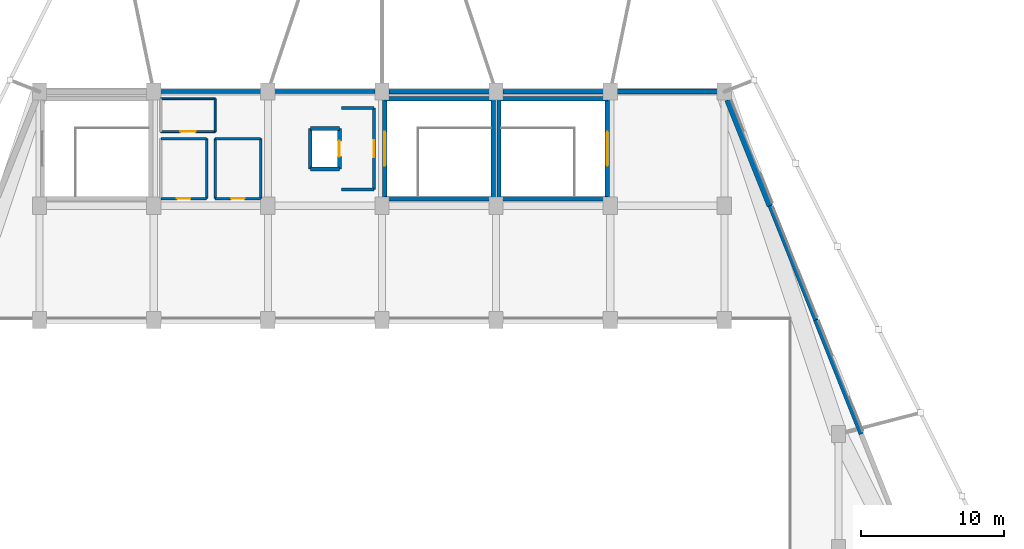
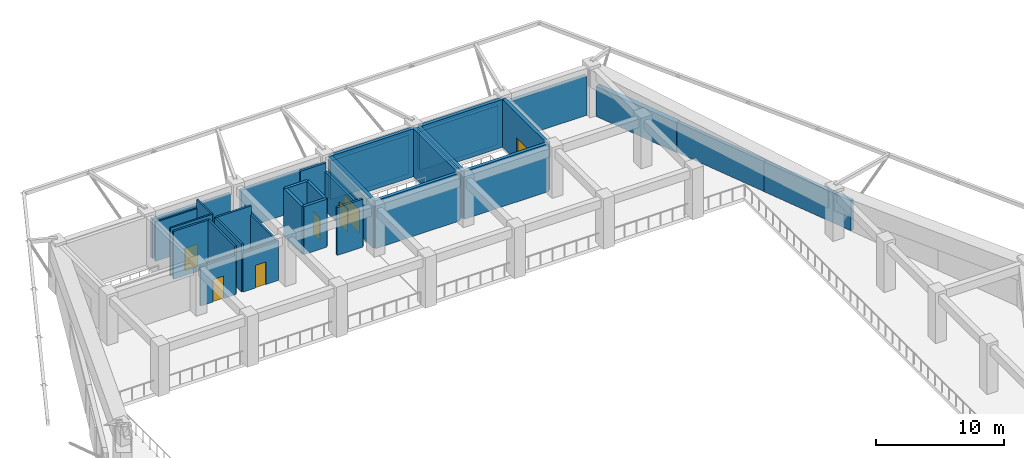
# One storey, part 7 of 9: 33 walls, 7 doors, 7 openings.
"""IFC4 building model written with IfcOpenShell, lengths in metres."""

from ifc_helpers import new_model, si_unit, direction, frame, frame_2d, origin, place, context, subcontext, project, spatial, rectangle, extrude, material, layer, layer_set, type_object, element, fill, save


model = new_model("IFC4")

# Units and contexts
model_context = context("Model", 3, precision=1e-05, world=origin(), true_north=direction((0.0, 1.0)))
body_context = subcontext(model_context, "Body", "Model", "MODEL_VIEW")
ifc_project = project(units=[si_unit("LENGTHUNIT", "METRE"), si_unit("AREAUNIT", "SQUARE_METRE"), si_unit("VOLUMEUNIT", "CUBIC_METRE"), si_unit("PLANEANGLEUNIT", "RADIAN"), si_unit("MASSUNIT", "GRAM", prefix="KILO")], contexts=[model_context])

# Site, building, storey
site_placement = place(None, origin())
site = spatial("IfcSite", under=ifc_project, at=site_placement, CompositionType="ELEMENT")
building_placement = place(site_placement, origin())
building = spatial("IfcBuilding", under=site, at=building_placement, Name="Tazarka Park Arena", CompositionType="ELEMENT")
storey_placement = place(building_placement, frame((0.0, 0.0, 24.60009765625)))
storey = spatial("IfcBuildingStorey", under=building, at=storey_placement, Name="L05", CompositionType="ELEMENT", Elevation=24.60009765625)

# Walls
ifc_material_1 = material(Name="Concrete C40/50", Category="concrete")
ifc_layer_1 = layer(ifc_material_1, 0.300048828125, Name="Concrete C40/50")
ifc_layer_set_1 = layer_set([ifc_layer_1], Name="Concrete C40/50")
wall_type_1 = type_object("IfcWallType", Name="IWAL-CW-S1", PredefinedType="SHEAR", material=ifc_layer_set_1)
wall_1_placement = place(storey_placement, frame((103.800048828125, 96.5, 0.0), z_axis=(0.0, 0.0, 1.0), x_axis=(-1.0, 0.0, 0.0)))
element("IfcWall", 1, at=wall_1_placement, inside=storey, type_object=wall_type_1, Name="SCW-L05-ST10-S", PredefinedType="SHEAR", context=body_context, shape_type="SweptSolid", body=[
    extrude(rectangle(XDim=7.60009765625, YDim=0.300048828125, at=frame_2d((3.800048828125, 0.0))), origin(), (0.0, 0.0, 1.0), 4.5498046875),
])
wall_2_placement = place(storey_placement, frame((96.199951171875, 96.5, 0.0), z_axis=(0.0, 0.0, 1.0), x_axis=(0.0, 1.0, 0.0)))
element("IfcWall", 2, at=wall_2_placement, inside=storey, type_object=wall_type_1, Name="SCW-L05-ST10-W", PredefinedType="SHEAR", context=body_context, shape_type="SweptSolid", body=[
    extrude(rectangle(XDim=7.0, YDim=0.300048828125, at=frame_2d((3.5, 0.0))), origin(), (0.0, 0.0, 1.0), 4.5498046875),
])
wall_3_placement = place(storey_placement, frame((96.199951171875, 103.5, 0.0), z_axis=(0.0, 0.0, 1.0), x_axis=(1.0, 0.0, 0.0)))
element("IfcWall", 3, at=wall_3_placement, inside=storey, type_object=wall_type_1, Name="SCW-L05-ST10-N", PredefinedType="SHEAR", context=body_context, shape_type="SweptSolid", body=[
    extrude(rectangle(XDim=7.60009765625, YDim=0.300048828125, at=frame_2d((3.800048828125, 0.0))), origin(), (0.0, 0.0, 1.0), 4.5498046875),
])

# Wall, opening, door
wall_4_placement = place(storey_placement, frame((103.800048828125, 103.5, 0.0), z_axis=(0.0, 0.0, 1.0), x_axis=(0.0, -1.0, 0.0)))
wall_4 = element("IfcWall", 4, at=wall_4_placement, inside=storey, type_object=wall_type_1, Name="SCW-L05-ST10-E", PredefinedType="SHEAR", context=body_context, shape_type="SweptSolid", body=[
    extrude(rectangle(XDim=7.0, YDim=0.300048828125, at=frame_2d((3.5, 0.0))), origin(), (0.0, 0.0, 1.0), 4.5498046875),
])
opening_1_placement = place(wall_4_placement, frame((2.300048828125, 0.0, 0.0)))
opening_1 = element("IfcOpeningElement", 5, at=opening_1_placement, cuts=wall_4, Name="Opening ID-05", PredefinedType="OPENING", context=body_context, shape_type="SweptSolid", body=[
    extrude(rectangle(XDim=2.39990234375, YDim=2.199951171875, at=frame_2d((1.199951171875, 1.10009765625))), frame((0.0, 0.16015625, 0.0), z_axis=(0.0, -1.0, 0.0), x_axis=(1.0, 0.0, 0.0)), (0.0, 0.0, 1.0), 0.320068359375),
])
ifc_material_2 = material(Name="Fire-rated powder-coated steel and acoustic timber", Category="steel")
door_type_1 = type_object("IfcDoorType", Name="IDR-ID-05", OperationType="NOTDEFINED", PredefinedType="DOOR", material=ifc_material_2)
door_1_placement = place(opening_1_placement, frame((2.39990234375, 0.0, 0.0), z_axis=(0.0, 0.0, 1.0), x_axis=(-1.0, 0.0, 0.0)))
door_1 = element("IfcDoor", 6, at=door_1_placement, inside=storey, type_object=door_type_1, Name="Exit Stair Door ST10-L05", OperationType="DOUBLE_DOOR_SINGLE_SWING", OverallHeight=2.199951171875, OverallWidth=2.39990234375, PredefinedType="DOOR", context=body_context, shape_type="SweptSolid", body=[
    extrude(rectangle(XDim=2.39990234375, YDim=2.199951171875, at=frame_2d((1.199951171875, 1.10009765625))), frame((0.0, 0.02490234375, 0.0), z_axis=(0.0, -1.0, 0.0), x_axis=(1.0, 0.0, 0.0)), (0.0, 0.0, 1.0), 0.050048828125),
])
fill(opening_1, door_1)

# Wall
wall_5_placement = place(storey_placement, frame((95.800048828125, 96.5, 0.0), z_axis=(0.0, 0.0, 1.0), x_axis=(-1.0, 0.0, 0.0)))
element("IfcWall", 7, at=wall_5_placement, inside=storey, type_object=wall_type_1, Name="SCW-L05-ST15-S", PredefinedType="SHEAR", context=body_context, shape_type="SweptSolid", body=[
    extrude(rectangle(XDim=7.60009765625, YDim=0.300048828125, at=frame_2d((3.800048828125, 0.0))), origin(), (0.0, 0.0, 1.0), 4.5498046875),
])

# Wall, opening, door
wall_6_placement = place(storey_placement, frame((88.199951171875, 96.5, 0.0), z_axis=(0.0, 0.0, 1.0), x_axis=(0.0, 1.0, 0.0)))
wall_6 = element("IfcWall", 8, at=wall_6_placement, inside=storey, type_object=wall_type_1, Name="SCW-L05-ST15-W", PredefinedType="SHEAR", context=body_context, shape_type="SweptSolid", body=[
    extrude(rectangle(XDim=7.0, YDim=0.300048828125, at=frame_2d((3.5, 0.0))), origin(), (0.0, 0.0, 1.0), 4.5498046875),
])
opening_2_placement = place(wall_6_placement, frame((2.300048828125, 0.0, 0.0)))
opening_2 = element("IfcOpeningElement", 9, at=opening_2_placement, cuts=wall_6, Name="Opening ID-05", PredefinedType="OPENING", context=body_context, shape_type="SweptSolid", body=[
    extrude(rectangle(XDim=2.39990234375, YDim=2.199951171875, at=frame_2d((1.199951171875, 1.10009765625))), frame((0.0, 0.16015625, 0.0), z_axis=(0.0, -1.0, 0.0), x_axis=(1.0, 0.0, 0.0)), (0.0, 0.0, 1.0), 0.320068359375),
])
door_2_placement = place(opening_2_placement, frame((2.39990234375, 0.0, 0.0), z_axis=(0.0, 0.0, 1.0), x_axis=(-1.0, 0.0, 0.0)))
door_2 = element("IfcDoor", 10, at=door_2_placement, inside=storey, type_object=door_type_1, Name="Exit Stair Door ST15-L05", OperationType="DOUBLE_DOOR_SINGLE_SWING", OverallHeight=2.199951171875, OverallWidth=2.39990234375, PredefinedType="DOOR", context=body_context, shape_type="SweptSolid", body=[
    extrude(rectangle(XDim=2.39990234375, YDim=2.199951171875, at=frame_2d((1.199951171875, 1.10009765625))), frame((0.0, 0.02490234375, 0.0), z_axis=(0.0, -1.0, 0.0), x_axis=(1.0, 0.0, 0.0)), (0.0, 0.0, 1.0), 0.050048828125),
])
fill(opening_2, door_2)

# Walls
wall_7_placement = place(storey_placement, frame((88.199951171875, 103.5, 0.0), z_axis=(0.0, 0.0, 1.0), x_axis=(1.0, 0.0, 0.0)))
element("IfcWall", 11, at=wall_7_placement, inside=storey, type_object=wall_type_1, Name="SCW-L05-ST15-N", PredefinedType="SHEAR", context=body_context, shape_type="SweptSolid", body=[
    extrude(rectangle(XDim=7.60009765625, YDim=0.300048828125, at=frame_2d((3.800048828125, 0.0))), origin(), (0.0, 0.0, 1.0), 4.5498046875),
])
wall_8_placement = place(storey_placement, frame((95.800048828125, 103.5, 0.0), z_axis=(0.0, 0.0, 1.0), x_axis=(0.0, -1.0, 0.0)))
element("IfcWall", 12, at=wall_8_placement, inside=storey, type_object=wall_type_1, Name="SCW-L05-ST15-E", PredefinedType="SHEAR", context=body_context, shape_type="SweptSolid", body=[
    extrude(rectangle(XDim=7.0, YDim=0.300048828125, at=frame_2d((3.5, 0.0))), origin(), (0.0, 0.0, 1.0), 4.5498046875),
])
ifc_material_3 = material(Name="Concrete C40/50", Category="concrete")
ifc_layer_2 = layer(ifc_material_3, 0.260009765625, Name="Concrete C40/50")
ifc_layer_set_2 = layer_set([ifc_layer_2], Name="Concrete C40/50")
wall_type_2 = type_object("IfcWallType", Name="IWAL-CW-S3", PredefinedType="SHEAR", material=ifc_layer_set_2)
wall_9_placement = place(storey_placement, frame((82.97998046875, 98.580078125, 0.0), z_axis=(0.0, 0.0, 1.0), x_axis=(0.0, 1.0, 0.0)))
element("IfcWall", 13, at=wall_9_placement, inside=storey, type_object=wall_type_2, Name="LSW-L05-LF-03-W", PredefinedType="SHEAR", context=body_context, shape_type="SweptSolid", body=[
    extrude(rectangle(XDim=2.83984375, YDim=0.260009765625, at=frame_2d((1.419921875, 0.0))), origin(), (0.0, 0.0, 1.0), 4.5498046875),
])
for number, where, z_axis, x_axis, name in (
    (14, (82.97998046875, 101.419921875, 0.0), (0.0, 0.0, 1.0), (1.0, 0.0, 0.0), "LSW-L05-LF-03-N"),
    (15, (85.02001953125, 98.580078125, 0.0), (0.0, 0.0, 1.0), (-1.0, 0.0, 0.0), "LSW-L05-LF-03-S"),
):
    element("IfcWall", number, at=place(storey_placement, frame(where, z_axis=z_axis, x_axis=x_axis)), inside=storey, type_object=wall_type_2, Name=name, PredefinedType="SHEAR", context=body_context, shape_type="SweptSolid", body=[
        extrude(rectangle(XDim=2.0400390625, YDim=0.260009765625, at=frame_2d((1.02001953125, 0.0))), origin(), (0.0, 0.0, 1.0), 4.5498046875),
    ])

# Wall, opening, door
wall_10_placement = place(storey_placement, frame((85.02001953125, 101.419921875, 0.0), z_axis=(0.0, 0.0, 1.0), x_axis=(0.0, -1.0, 0.0)))
wall_10 = element("IfcWall", 16, at=wall_10_placement, inside=storey, type_object=wall_type_2, Name="LSW-L05-LF-03-E", PredefinedType="SHEAR", context=body_context, shape_type="SweptSolid", body=[
    extrude(rectangle(XDim=2.83984375, YDim=0.260009765625, at=frame_2d((1.419921875, 0.0))), origin(), (0.0, 0.0, 1.0), 4.5498046875),
])
opening_3_placement = place(wall_10_placement, frame((0.8701171875, 0.0, 0.0)))
opening_3 = element("IfcOpeningElement", 17, at=opening_3_placement, cuts=wall_10, Name="Opening LD-01", PredefinedType="OPENING", context=body_context, shape_type="SweptSolid", body=[
    extrude(rectangle(XDim=1.10009765625, YDim=2.14990234375, at=frame_2d((0.550048828125, 1.074951171875))), frame((0.0, 0.14013671875, 0.0), z_axis=(0.0, -1.0, 0.0), x_axis=(1.0, 0.0, 0.0)), (0.0, 0.0, 1.0), 0.280029296875),
])
ifc_material_4 = material(Name="Fire-rated powder-coated steel and acoustic timber", Category="steel")
door_type_2 = type_object("IfcDoorType", Name="IDR-LD-01", OperationType="NOTDEFINED", PredefinedType="DOOR", material=ifc_material_4)
door_3_placement = place(opening_3_placement, origin())
door_3 = element("IfcDoor", 18, at=door_3_placement, inside=storey, type_object=door_type_2, Name="Lift Landing Door LF-03-L05", OperationType="SLIDING_TO_LEFT", OverallHeight=2.14990234375, OverallWidth=1.10009765625, PredefinedType="DOOR", context=body_context, shape_type="SweptSolid", body=[
    extrude(rectangle(XDim=1.10009765625, YDim=2.14990234375, at=frame_2d((0.550048828125, 1.074951171875))), frame((0.0, 0.02490234375, 0.0), z_axis=(0.0, -1.0, 0.0), x_axis=(1.0, 0.0, 0.0)), (0.0, 0.0, 1.0), 0.050048828125),
])
fill(opening_3, door_3)

# Walls
ifc_material_5 = material(Name="Reinforced masonry compartment wall", Category="masonry")
ifc_layer_3 = layer(ifc_material_5, 0.199951171875, Name="Reinforced masonry compartment wall")
ifc_layer_set_3 = layer_set([ifc_layer_3], Name="Reinforced masonry compartment wall")
wall_type_3 = type_object("IfcWallType", Name="IWAL-PT-04", PredefinedType="PARTITIONING", material=ifc_layer_set_3)
for number, where, z_axis, x_axis, name in (
    (19, (85.14990234375, 102.85009765625, 0.0), (0.0, 0.0, 1.0), (1.0, 0.0, 0.0), "FFW-L05-LF-03-N"),
    (20, (87.449951171875, 97.14990234375, 0.0), (0.0, 0.0, 1.0), (-1.0, 0.0, 0.0), "FFW-L05-LF-03-S"),
):
    element("IfcWall", number, at=place(storey_placement, frame(where, z_axis=z_axis, x_axis=x_axis)), inside=storey, type_object=wall_type_3, Name=name, PredefinedType="PARTITIONING", context=body_context, shape_type="SweptSolid", body=[
        extrude(rectangle(XDim=2.300048828125, YDim=0.199951171875, at=frame_2d((1.14990234375, 0.0))), origin(), (0.0, 0.0, 1.0), 4.5498046875),
    ])

# Wall, opening, door
wall_11_placement = place(storey_placement, frame((87.449951171875, 102.85009765625, 0.0), z_axis=(0.0, 0.0, 1.0), x_axis=(0.0, -1.0, 0.0)))
wall_11 = element("IfcWall", 21, at=wall_11_placement, inside=storey, type_object=wall_type_3, Name="FFW-L05-LF-03-E", PredefinedType="PARTITIONING", context=body_context, shape_type="SweptSolid", body=[
    extrude(rectangle(XDim=5.7001953125, YDim=0.199951171875, at=frame_2d((2.85009765625, 0.0))), origin(), (0.0, 0.0, 1.0), 3.7099609375),
])
opening_4_placement = place(wall_11_placement, frame((2.25, 0.0, 0.0)))
opening_4 = element("IfcOpeningElement", 22, at=opening_4_placement, cuts=wall_11, Name="Opening ID-03", PredefinedType="OPENING", context=body_context, shape_type="SweptSolid", body=[
    extrude(rectangle(XDim=1.199951171875, YDim=2.199951171875, at=frame_2d((0.60009765625, 1.10009765625))), frame((0.0, 0.10986328125, 0.0), z_axis=(0.0, -1.0, 0.0), x_axis=(1.0, 0.0, 0.0)), (0.0, 0.0, 1.0), 0.219970703125),
])
ifc_material_6 = material(Name="Fire-rated powder-coated steel and acoustic timber", Category="steel")
door_type_3 = type_object("IfcDoorType", Name="IDR-ID-03", OperationType="NOTDEFINED", PredefinedType="DOOR", material=ifc_material_6)
door_4_placement = place(opening_4_placement, origin())
door_4 = element("IfcDoor", 23, at=door_4_placement, inside=storey, type_object=door_type_3, Name="Firefighting Lobby Door LF-03-L05", OperationType="SINGLE_SWING_LEFT", OverallHeight=2.199951171875, OverallWidth=1.199951171875, PredefinedType="DOOR", context=body_context, shape_type="SweptSolid", body=[
    extrude(rectangle(XDim=1.199951171875, YDim=2.199951171875, at=frame_2d((0.60009765625, 1.10009765625))), frame((0.0, 0.02490234375, 0.0), z_axis=(0.0, -1.0, 0.0), x_axis=(1.0, 0.0, 0.0)), (0.0, 0.0, 1.0), 0.050048828125),
])
fill(opening_4, door_4)

ifc_material_7 = material(Name="Acoustic gypsum stud partition")
ifc_layer_4 = layer(ifc_material_7, 0.135009765625, Name="Acoustic gypsum stud partition")
ifc_layer_set_4 = layer_set([ifc_layer_4], Name="Acoustic gypsum stud partition")
wall_type_4 = type_object("IfcWallType", Name="IWAL-PT-10", PredefinedType="PARTITIONING", material=ifc_layer_set_4)
wall_12_placement = place(storey_placement, frame((72.5, 101.199951171875, 0.0), z_axis=(0.0, 0.0, 1.0), x_axis=(1.0, 0.0, 0.0)))
wall_12 = element("IfcWall", 24, at=wall_12_placement, inside=storey, type_object=wall_type_4, Name="WCE-L05-143", PredefinedType="PARTITIONING", context=body_context, shape_type="SweptSolid", body=[
    extrude(rectangle(XDim=3.800048828125, YDim=0.135009765625, at=frame_2d((1.89990234375, 0.0))), origin(), (0.0, 0.0, 1.0), 4.5498046875),
])
opening_5_placement = place(wall_12_placement, frame((1.35009765625, 0.0, 0.0)))
opening_5 = element("IfcOpeningElement", 25, at=opening_5_placement, cuts=wall_12, Name="Opening ID-02", PredefinedType="OPENING", context=body_context, shape_type="SweptSolid", body=[
    extrude(rectangle(XDim=1.10009765625, YDim=2.14990234375, at=frame_2d((0.550048828125, 1.074951171875))), frame((0.0, 0.07763671875, 0.0), z_axis=(0.0, -1.0, 0.0), x_axis=(1.0, 0.0, 0.0)), (0.0, 0.0, 1.0), 0.155029296875),
])
ifc_material_8 = material(Name="Fire-rated powder-coated steel and acoustic timber", Category="steel")
door_type_4 = type_object("IfcDoorType", Name="IDR-ID-02", OperationType="NOTDEFINED", PredefinedType="DOOR", material=ifc_material_8)
door_5_placement = place(opening_5_placement, origin())
door_5 = element("IfcDoor", 26, at=door_5_placement, inside=storey, type_object=door_type_4, Name="Room Door Accessible WC North 1", OperationType="SINGLE_SWING_LEFT", OverallHeight=2.14990234375, OverallWidth=1.10009765625, PredefinedType="DOOR", context=body_context, shape_type="SweptSolid", body=[
    extrude(rectangle(XDim=1.10009765625, YDim=2.14990234375, at=frame_2d((0.550048828125, 1.074951171875))), frame((0.0, 0.02490234375, 0.0), z_axis=(0.0, -1.0, 0.0), x_axis=(1.0, 0.0, 0.0)), (0.0, 0.0, 1.0), 0.050048828125),
])
fill(opening_5, door_5)

# Walls
wall_13_placement = place(storey_placement, frame((76.300048828125, 101.199951171875, 0.0), z_axis=(0.0, 0.0, 1.0), x_axis=(0.0, 1.0, 0.0)))
element("IfcWall", 27, at=wall_13_placement, inside=storey, type_object=wall_type_4, Name="WCE-L05-144", PredefinedType="PARTITIONING", context=body_context, shape_type="SweptSolid", body=[
    extrude(rectangle(XDim=2.300048828125, YDim=0.135009765625, at=frame_2d((1.14990234375, 0.0))), origin(), (0.0, 0.0, 1.0), 4.5498046875),
])
wall_14_placement = place(storey_placement, frame((76.300048828125, 103.5, 0.0), z_axis=(0.0, 0.0, 1.0), x_axis=(-1.0, 0.0, 0.0)))
element("IfcWall", 28, at=wall_14_placement, inside=storey, type_object=wall_type_4, Name="WCE-L05-145", PredefinedType="PARTITIONING", context=body_context, shape_type="SweptSolid", body=[
    extrude(rectangle(XDim=3.800048828125, YDim=0.135009765625, at=frame_2d((1.89990234375, 0.0))), origin(), (0.0, 0.0, 1.0), 3.7099609375),
])

# Wall, opening, door
ifc_material_9 = material(Name="Wet-zone tiled blockwork wall", Category="masonry")
ifc_layer_5 = layer(ifc_material_9, 0.175048828125, Name="Wet-zone tiled blockwork wall")
ifc_layer_set_5 = layer_set([ifc_layer_5], Name="Wet-zone tiled blockwork wall")
wall_type_5 = type_object("IfcWallType", Name="IWAL-PT-18", PredefinedType="PARTITIONING", material=ifc_layer_set_5)
wall_15_placement = place(storey_placement, frame((72.5, 96.5, 0.0), z_axis=(0.0, 0.0, 1.0), x_axis=(1.0, 0.0, 0.0)))
wall_15 = element("IfcWall", 29, at=wall_15_placement, inside=storey, type_object=wall_type_5, Name="WCE-L05-135", PredefinedType="PARTITIONING", context=body_context, shape_type="SweptSolid", body=[
    extrude(rectangle(XDim=3.199951171875, YDim=0.175048828125, at=frame_2d((1.60009765625, 0.0))), origin(), (0.0, 0.0, 1.0), 3.7099609375),
])
opening_6_placement = place(wall_15_placement, frame((1.125, 0.0, 0.0)))
opening_6 = element("IfcOpeningElement", 30, at=opening_6_placement, cuts=wall_15, Name="Opening ID-09", PredefinedType="OPENING", context=body_context, shape_type="SweptSolid", body=[
    extrude(rectangle(XDim=0.949951171875, YDim=2.14990234375, at=frame_2d((0.47509765625, 1.074951171875))), frame((0.0, 0.09765625, 0.0), z_axis=(0.0, -1.0, 0.0), x_axis=(1.0, 0.0, 0.0)), (0.0, 0.0, 1.0), 0.195068359375),
])
ifc_material_10 = material(Name="Fire-rated powder-coated steel and acoustic timber", Category="steel")
door_type_5 = type_object("IfcDoorType", Name="IDR-ID-09", OperationType="NOTDEFINED", PredefinedType="DOOR", material=ifc_material_10)
door_6_placement = place(opening_6_placement, origin())
door_6 = element("IfcDoor", 31, at=door_6_placement, inside=storey, type_object=door_type_5, Name="Room Door Public Male WC North 1", OperationType="SINGLE_SWING_LEFT", OverallHeight=2.14990234375, OverallWidth=0.949951171875, PredefinedType="DOOR", context=body_context, shape_type="SweptSolid", body=[
    extrude(rectangle(XDim=0.949951171875, YDim=2.14990234375, at=frame_2d((0.47509765625, 1.074951171875))), frame((0.0, 0.02490234375, 0.0), z_axis=(0.0, -1.0, 0.0), x_axis=(1.0, 0.0, 0.0)), (0.0, 0.0, 1.0), 0.050048828125),
])
fill(opening_6, door_6)

# Walls
wall_16_placement = place(storey_placement, frame((75.699951171875, 96.5, 0.0), z_axis=(0.0, 0.0, 1.0), x_axis=(0.0, 1.0, 0.0)))
element("IfcWall", 32, at=wall_16_placement, inside=storey, type_object=wall_type_5, Name="WCE-L05-136", PredefinedType="PARTITIONING", context=body_context, shape_type="SweptSolid", body=[
    extrude(rectangle(XDim=4.199951171875, YDim=0.175048828125, at=frame_2d((2.10009765625, 0.0))), origin(), (0.0, 0.0, 1.0), 4.5498046875),
])
wall_17_placement = place(storey_placement, frame((75.699951171875, 100.699951171875, 0.0), z_axis=(0.0, 0.0, 1.0), x_axis=(-1.0, 0.0, 0.0)))
element("IfcWall", 33, at=wall_17_placement, inside=storey, type_object=wall_type_5, Name="WCE-L05-137", PredefinedType="PARTITIONING", context=body_context, shape_type="SweptSolid", body=[
    extrude(rectangle(XDim=3.199951171875, YDim=0.175048828125, at=frame_2d((1.60009765625, 0.0))), origin(), (0.0, 0.0, 1.0), 4.5498046875),
])

# Wall, opening, door
wall_18_placement = place(storey_placement, frame((76.300048828125, 96.5, 0.0), z_axis=(0.0, 0.0, 1.0), x_axis=(1.0, 0.0, 0.0)))
wall_18 = element("IfcWall", 34, at=wall_18_placement, inside=storey, type_object=wall_type_5, Name="WCE-L05-139", PredefinedType="PARTITIONING", context=body_context, shape_type="SweptSolid", body=[
    extrude(rectangle(XDim=3.199951171875, YDim=0.175048828125, at=frame_2d((1.60009765625, 0.0))), origin(), (0.0, 0.0, 1.0), 3.7099609375),
])
opening_7_placement = place(wall_18_placement, frame((1.125, 0.0, 0.0)))
opening_7 = element("IfcOpeningElement", 35, at=opening_7_placement, cuts=wall_18, Name="Opening ID-09", PredefinedType="OPENING", context=body_context, shape_type="SweptSolid", body=[
    extrude(rectangle(XDim=0.949951171875, YDim=2.14990234375, at=frame_2d((0.47509765625, 1.074951171875))), frame((0.0, 0.09765625, 0.0), z_axis=(0.0, -1.0, 0.0), x_axis=(1.0, 0.0, 0.0)), (0.0, 0.0, 1.0), 0.195068359375),
])
door_7_placement = place(opening_7_placement, origin())
door_7 = element("IfcDoor", 36, at=door_7_placement, inside=storey, type_object=door_type_5, Name="Room Door Public Female WC North 1", OperationType="SINGLE_SWING_RIGHT", OverallHeight=2.14990234375, OverallWidth=0.949951171875, PredefinedType="DOOR", context=body_context, shape_type="SweptSolid", body=[
    extrude(rectangle(XDim=0.949951171875, YDim=2.14990234375, at=frame_2d((0.47509765625, 1.074951171875))), frame((0.0, 0.02490234375, 0.0), z_axis=(0.0, -1.0, 0.0), x_axis=(1.0, 0.0, 0.0)), (0.0, 0.0, 1.0), 0.050048828125),
])
fill(opening_7, door_7)

# Walls
wall_19_placement = place(storey_placement, frame((79.5, 96.5, 0.0), z_axis=(0.0, 0.0, 1.0), x_axis=(0.0, 1.0, 0.0)))
element("IfcWall", 37, at=wall_19_placement, inside=storey, type_object=wall_type_5, Name="WCE-L05-140", PredefinedType="PARTITIONING", context=body_context, shape_type="SweptSolid", body=[
    extrude(rectangle(XDim=4.199951171875, YDim=0.175048828125, at=frame_2d((2.10009765625, 0.0))), origin(), (0.0, 0.0, 1.0), 3.7099609375),
])
wall_20_placement = place(storey_placement, frame((79.5, 100.699951171875, 0.0), z_axis=(0.0, 0.0, 1.0), x_axis=(-1.0, 0.0, 0.0)))
element("IfcWall", 38, at=wall_20_placement, inside=storey, type_object=wall_type_5, Name="WCE-L05-141", PredefinedType="PARTITIONING", context=body_context, shape_type="SweptSolid", body=[
    extrude(rectangle(XDim=3.199951171875, YDim=0.175048828125, at=frame_2d((1.60009765625, 0.0))), origin(), (0.0, 0.0, 1.0), 4.5498046875),
])
wall_21_placement = place(storey_placement, frame((76.300048828125, 100.699951171875, 0.0), z_axis=(0.0, 0.0, 1.0), x_axis=(0.0, -1.0, 0.0)))
element("IfcWall", 39, at=wall_21_placement, inside=storey, type_object=wall_type_5, Name="WCE-L05-142", PredefinedType="PARTITIONING", context=body_context, shape_type="SweptSolid", body=[
    extrude(rectangle(XDim=4.199951171875, YDim=0.175048828125, at=frame_2d((2.10009765625, 0.0))), origin(), (0.0, 0.0, 1.0), 4.5498046875),
])
ifc_material_11 = material(Name="Precast concrete C40/50", Category="concrete")
ifc_layer_6 = layer(ifc_material_11, 0.300048828125, Name="Precast concrete C40/50")
ifc_layer_set_6 = layer_set([ifc_layer_6], Name="Precast concrete C40/50")
wall_type_6 = type_object("IfcWallType", Name="WAL-EW-01", PredefinedType="SOLIDWALL", material=ifc_layer_set_6)
wall_22_placement = place(storey_placement, frame((115.199951171875, 96.0, 0.0), z_axis=(0.0, 0.0, 1.0), x_axis=(0.371385791018, -0.928478645005, 0.0)))
element("IfcWall", 40, at=wall_22_placement, inside=storey, type_object=wall_type_6, Name="EW-L05-0368", PredefinedType="SOLIDWALL", context=body_context, shape_type="SweptSolid", body=[
    extrude(rectangle(XDim=8.6162109375, YDim=0.300048828125, at=frame_2d((4.30810546875, 0.0))), origin(), (0.0, 0.0, 1.0), 2.85986328125),
])
ifc_material_12 = material(Name="Precast concrete C40/50", Category="concrete")
ifc_layer_7 = layer(ifc_material_12, 0.320068359375, Name="Precast concrete C40/50")
ifc_layer_set_7 = layer_set([ifc_layer_7], Name="Precast concrete C40/50")
wall_type_7 = type_object("IfcWallType", Name="WAL-EW-02", PredefinedType="SOLIDWALL", material=ifc_layer_set_7)
wall_23_placement = place(storey_placement, frame((118.39990234375, 88.0, 0.0), z_axis=(0.0, 0.0, 1.0), x_axis=(0.37141021739, -0.928468874232, 0.0)))
element("IfcWall", 41, at=wall_23_placement, inside=storey, type_object=wall_type_7, Name="EW-L05-0369", PredefinedType="SOLIDWALL", context=body_context, shape_type="SweptSolid", body=[
    extrude(rectangle(XDim=8.616455078125, YDim=0.320068359375, at=frame_2d((4.30810546875, 0.0))), origin(), (0.0, 0.0, 1.0), 2.85986328125),
])
ifc_material_13 = material(Name="Precast concrete C40/50", Category="concrete")
ifc_layer_8 = layer(ifc_material_13, 0.280029296875, Name="Precast concrete C40/50")
ifc_layer_set_8 = layer_set([ifc_layer_8], Name="Precast concrete C40/50")
wall_type_8 = type_object("IfcWallType", Name="WAL-EW-06", PredefinedType="SOLIDWALL", material=ifc_layer_set_8)
wall_24_placement = place(storey_placement, frame((72.47998046875, 104.0, 0.0), z_axis=(0.0, 0.0, 1.0), x_axis=(1.0, 0.0, 0.0)))
element("IfcWall", 42, at=wall_24_placement, inside=storey, type_object=wall_type_8, Name="EW-L05-0373", PredefinedType="SOLIDWALL", context=body_context, shape_type="SweptSolid", body=[
    extrude(rectangle(XDim=7.0400390625, YDim=0.280029296875, at=frame_2d((3.52001953125, 0.0))), origin(), (0.0, 0.0, 1.0), 3.7099609375),
])
ifc_material_14 = material(Name="Precast concrete C40/50", Category="concrete")
ifc_layer_9 = layer(ifc_material_14, 0.2900390625, Name="Precast concrete C40/50")
ifc_layer_set_9 = layer_set([ifc_layer_9], Name="Precast concrete C40/50")
wall_type_9 = type_object("IfcWallType", Name="WAL-EW-07", PredefinedType="SOLIDWALL", material=ifc_layer_set_9)
wall_25_placement = place(storey_placement, frame((80.47998046875, 104.0, 0.0), z_axis=(0.0, 0.0, 1.0), x_axis=(1.0, 0.0, 0.0)))
element("IfcWall", 43, at=wall_25_placement, inside=storey, type_object=wall_type_9, Name="EW-L05-0374", PredefinedType="SOLIDWALL", context=body_context, shape_type="SweptSolid", body=[
    extrude(rectangle(XDim=7.0400390625, YDim=0.2900390625, at=frame_2d((3.52001953125, 0.0))), origin(), (0.0, 0.0, 1.0), 3.7099609375),
])
ifc_material_15 = material(Name="Precast concrete C40/50", Category="concrete")
ifc_layer_10 = layer(ifc_material_15, 0.31005859375, Name="Precast concrete C40/50")
ifc_layer_set_10 = layer_set([ifc_layer_10], Name="Precast concrete C40/50")
wall_type_10 = type_object("IfcWallType", Name="WAL-EW-08", PredefinedType="SOLIDWALL", material=ifc_layer_set_10)
wall_26_placement = place(storey_placement, frame((88.47998046875, 104.0, 0.0), z_axis=(0.0, 0.0, 1.0), x_axis=(1.0, 0.0, 0.0)))
element("IfcWall", 44, at=wall_26_placement, inside=storey, type_object=wall_type_10, Name="EW-L05-0375", PredefinedType="SOLIDWALL", context=body_context, shape_type="SweptSolid", body=[
    extrude(rectangle(XDim=7.0400390625, YDim=0.31005859375, at=frame_2d((3.52001953125, 0.0))), origin(), (0.0, 0.0, 1.0), 3.7099609375),
])
ifc_material_16 = material(Name="Concrete C40/50", Category="concrete")
ifc_layer_11 = layer(ifc_material_16, 0.330078125, Name="Concrete C40/50")
ifc_layer_set_11 = layer_set([ifc_layer_11], Name="Concrete C40/50")
wall_type_11 = type_object("IfcWallType", Name="WAL-EW-09", PredefinedType="SOLIDWALL", material=ifc_layer_set_11)
wall_27_placement = place(storey_placement, frame((96.47998046875, 104.0, 0.0), z_axis=(0.0, 0.0, 1.0), x_axis=(1.0, 0.0, 0.0)))
element("IfcWall", 45, at=wall_27_placement, inside=storey, type_object=wall_type_11, Name="EW-L05-0376", PredefinedType="SOLIDWALL", context=body_context, shape_type="SweptSolid", body=[
    extrude(rectangle(XDim=7.0400390625, YDim=0.330078125, at=frame_2d((3.52001953125, 0.0))), origin(), (0.0, 0.0, 1.0), 3.7099609375),
])
ifc_material_17 = material(Name="Concrete C40/50", Category="concrete")
ifc_layer_12 = layer(ifc_material_17, 0.35009765625, Name="Concrete C40/50")
ifc_layer_set_12 = layer_set([ifc_layer_12], Name="Concrete C40/50")
wall_type_12 = type_object("IfcWallType", Name="WAL-EW-10", PredefinedType="SOLIDWALL", material=ifc_layer_set_12)
wall_28_placement = place(storey_placement, frame((104.47998046875, 104.0, 0.0), z_axis=(0.0, 0.0, 1.0), x_axis=(1.0, 0.0, 0.0)))
element("IfcWall", 46, at=wall_28_placement, inside=storey, type_object=wall_type_12, Name="EW-L05-0377", PredefinedType="SOLIDWALL", context=body_context, shape_type="SweptSolid", body=[
    extrude(rectangle(XDim=7.0400390625, YDim=0.35009765625, at=frame_2d((3.52001953125, 0.0))), origin(), (0.0, 0.0, 1.0), 3.7099609375),
])
ifc_material_18 = material(Name="Concrete C50/60", Category="concrete")
ifc_layer_13 = layer(ifc_material_18, 0.429931640625, Name="Concrete C50/60")
ifc_layer_set_13 = layer_set([ifc_layer_13], Name="Concrete C50/60")
wall_type_13 = type_object("IfcWallType", Name="WAL-EW-16", PredefinedType="SOLIDWALL", material=ifc_layer_set_13)
wall_29_placement = place(storey_placement, frame((112.23193359375, 103.419921875, 0.0), z_axis=(0.0, 0.0, 1.0), x_axis=(0.371395943584, -0.928474583976, 0.0)))
element("IfcWall", 47, at=wall_29_placement, inside=storey, type_object=wall_type_13, Name="EW-L05-0367", PredefinedType="SOLIDWALL", context=body_context, shape_type="SweptSolid", body=[
    extrude(rectangle(XDim=7.991455078125, YDim=0.429931640625, at=frame_2d((3.99560546875, 0.0))), origin(), (0.0, 0.0, 1.0), 2.85986328125),
])

save(model, "model.ifc")
